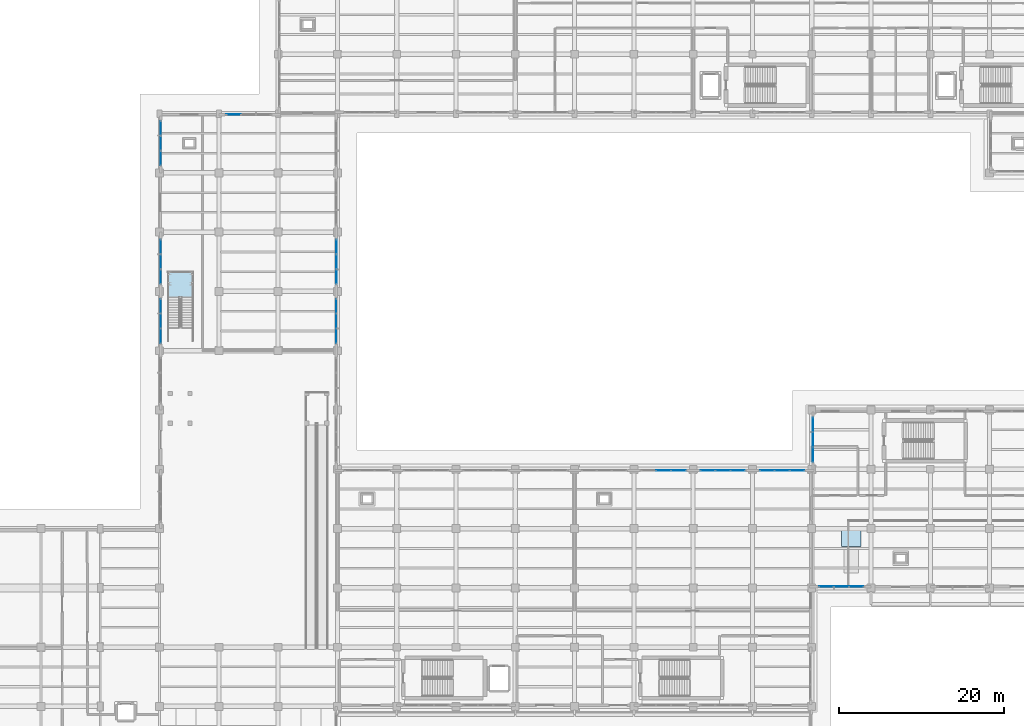
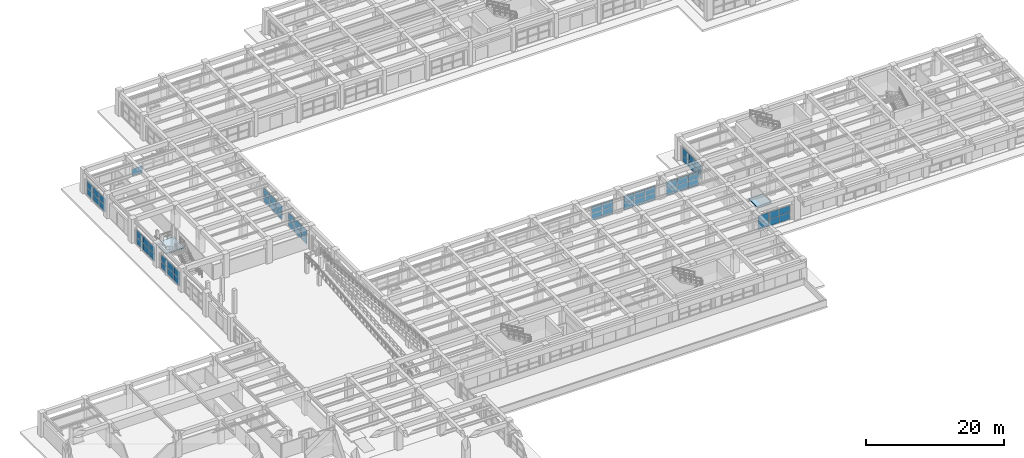
# One storey, part 35 of 64: 59 plates, 2 slabs, 12 elements without a shape of their own.
"""IFC4 building model written with IfcOpenShell, lengths in metres."""

from ifc_helpers import new_model, si_unit, direction, frame, origin, origin_2d, place, context, subcontext, project, spatial, polyline, rectangle, outline, extrude, material, layer, layer_set, type_object, element, aggregate, save


model = new_model("IFC4")

# Units and contexts
model_context = context("Model", 3, precision=1e-05, world=origin(), true_north=direction((0.0, 1.0)))
body_context = subcontext(model_context, "Body", "Model", "MODEL_VIEW")
ifc_project = project(units=[si_unit("LENGTHUNIT", "METRE"), si_unit("AREAUNIT", "SQUARE_METRE"), si_unit("VOLUMEUNIT", "CUBIC_METRE"), si_unit("PLANEANGLEUNIT", "RADIAN"), si_unit("MASSUNIT", "GRAM", prefix="KILO")], contexts=[model_context])

# Site, building, storey
site_placement = place(None, origin())
site = spatial("IfcSite", under=ifc_project, at=site_placement, CompositionType="ELEMENT")
building_placement = place(site_placement, origin())
building = spatial("IfcBuilding", under=site, at=building_placement, Name="Solenvale Faculty of Natural Sciences", CompositionType="ELEMENT")
storey_placement = place(building_placement, origin())
storey = spatial("IfcBuildingStorey", under=building, at=storey_placement, Name="L00", CompositionType="ELEMENT", Elevation=0.0)

# Curtain wall, plates
ifc_material_1 = material(Name="Anodised bronze aluminium", Category="aluminium")
ifc_layer_1 = layer(ifc_material_1, 0.215087890625)
ifc_layer_set_1 = layer_set([ifc_layer_1], Name="Anodised bronze aluminium")
curtain_wall_type_1 = type_object("IfcCurtainWallType", Name="CW-ATR-UNIT", PredefinedType="USERDEFINED", material=ifc_layer_set_1)
curtain_wall_1_placement = place(storey_placement, origin())
curtain_wall_1 = element("IfcCurtainWall", 1, at=curtain_wall_1_placement, inside=storey, type_object=curtain_wall_type_1, Name="L00 Curtain Wall CW-L00-P1-E22-B1", ObjectType="UNITISED CURTAIN WALL", PredefinedType="USERDEFINED")
ifc_material_2 = material(Name="North-light skylight glass", Category="glass")
ifc_layer_2 = layer(ifc_material_2, 0.028076171875)
ifc_layer_set_2 = layer_set([ifc_layer_2], Name="North-light skylight glass")
plate_type_1 = type_object("IfcPlateType", Name="CWP-PNL-28", PredefinedType="CURTAIN_PANEL", material=ifc_layer_set_2)
plate_1_placement = place(storey_placement, frame((36.142578125, 91.814697265625, 0.074951171875), z_axis=(0.0, 0.0, 1.0), x_axis=(0.0, -1.0, 0.0)))
plate_1 = element("IfcPlate", 2, at=plate_1_placement, type_object=plate_type_1, Name="CW-01 panel 1.1", PredefinedType="CURTAIN_PANEL", context=body_context, shape_type="SweptSolid", body=[
    extrude(rectangle(XDim=1.720947265625, YDim=0.028076171875, at=origin_2d()), origin(), (0.0, 0.0, 1.0), 1.1875),
])
plate_2_placement = place(storey_placement, frame((36.142578125, 91.814697265625, 1.33740234375), z_axis=(0.0, 0.0, 1.0), x_axis=(0.0, -1.0, 0.0)))
plate_2 = element("IfcPlate", 3, at=plate_2_placement, type_object=plate_type_1, Name="CW-01 panel 1.2", PredefinedType="CURTAIN_PANEL", context=body_context, shape_type="SweptSolid", body=[
    extrude(rectangle(XDim=1.720947265625, YDim=0.028076171875, at=origin_2d()), origin(), (0.0, 0.0, 1.0), 1.1875),
])
plate_3_placement = place(storey_placement, frame((36.142578125, 90.0, 0.074951171875), z_axis=(0.0, 0.0, 1.0), x_axis=(0.0, -1.0, 0.0)))
plate_3 = element("IfcPlate", 4, at=plate_3_placement, type_object=plate_type_1, Name="CW-01 panel 2.1", PredefinedType="CURTAIN_PANEL", context=body_context, shape_type="SweptSolid", body=[
    extrude(rectangle(XDim=1.75830078125, YDim=0.028076171875, at=origin_2d()), origin(), (0.0, 0.0, 1.0), 1.1875),
])
plate_4_placement = place(storey_placement, frame((36.142578125, 90.0, 1.33740234375), z_axis=(0.0, 0.0, 1.0), x_axis=(0.0, -1.0, 0.0)))
plate_4 = element("IfcPlate", 5, at=plate_4_placement, type_object=plate_type_1, Name="CW-01 panel 2.2", PredefinedType="CURTAIN_PANEL", context=body_context, shape_type="SweptSolid", body=[
    extrude(rectangle(XDim=1.75830078125, YDim=0.028076171875, at=origin_2d()), origin(), (0.0, 0.0, 1.0), 1.1875),
])
plate_5_placement = place(storey_placement, frame((36.142578125, 88.185302734375, 0.074951171875), z_axis=(0.0, 0.0, 1.0), x_axis=(0.0, -1.0, 0.0)))
plate_5 = element("IfcPlate", 6, at=plate_5_placement, type_object=plate_type_1, Name="CW-01 panel 3.1", PredefinedType="CURTAIN_PANEL", context=body_context, shape_type="SweptSolid", body=[
    extrude(rectangle(XDim=1.720947265625, YDim=0.028076171875, at=origin_2d()), origin(), (0.0, 0.0, 1.0), 1.1875),
])
plate_6_placement = place(storey_placement, frame((36.142578125, 88.185302734375, 1.33740234375), z_axis=(0.0, 0.0, 1.0), x_axis=(0.0, -1.0, 0.0)))
plate_6 = element("IfcPlate", 7, at=plate_6_placement, type_object=plate_type_1, Name="CW-01 panel 3.2", PredefinedType="CURTAIN_PANEL", context=body_context, shape_type="SweptSolid", body=[
    extrude(rectangle(XDim=1.720947265625, YDim=0.028076171875, at=origin_2d()), origin(), (0.0, 0.0, 1.0), 1.1875),
])
aggregate(curtain_wall_1, [plate_1, plate_2, plate_3, plate_4, plate_5, plate_6])

ifc_layer_3 = layer(ifc_material_1, 0.199951171875)
ifc_layer_set_3 = layer_set([ifc_layer_3], Name="Anodised bronze aluminium")
curtain_wall_type_2 = type_object("IfcCurtainWallType", Name="CW-COM-FIN", PredefinedType="USERDEFINED", material=ifc_layer_set_3)
curtain_wall_2_placement = place(storey_placement, origin())
curtain_wall_2 = element("IfcCurtainWall", 8, at=curtain_wall_2_placement, inside=storey, type_object=curtain_wall_type_2, Name="L00 Curtain Wall CW-L00-P1-E8-B1", ObjectType="UNITISED CURTAIN WALL", PredefinedType="USERDEFINED")
ifc_material_3 = material(Name="Triple low-E insulated glass", Category="glass")
ifc_layer_4 = layer(ifc_material_3, 0.035888671875)
ifc_layer_set_4 = layer_set([ifc_layer_4], Name="Triple low-E insulated glass")
plate_type_2 = type_object("IfcPlateType", Name="CWP-PNL-36", PredefinedType="CURTAIN_PANEL", material=ifc_layer_set_4)
plate_7_placement = place(storey_placement, frame((115.342529296875, 55.814697265625, 0.074951171875), z_axis=(0.0, 0.0, 1.0), x_axis=(0.0, -1.0, 0.0)))
plate_7 = element("IfcPlate", 9, at=plate_7_placement, type_object=plate_type_2, Name="CW-03 panel 1.1", PredefinedType="CURTAIN_PANEL", context=body_context, shape_type="SweptSolid", body=[
    extrude(rectangle(XDim=1.720947265625, YDim=0.035888671875, at=origin_2d()), origin(), (0.0, 0.0, 1.0), 1.1875),
])
plate_8_placement = place(storey_placement, frame((115.342529296875, 55.814697265625, 1.33740234375), z_axis=(0.0, 0.0, 1.0), x_axis=(0.0, -1.0, 0.0)))
plate_8 = element("IfcPlate", 10, at=plate_8_placement, type_object=plate_type_2, Name="CW-03 panel 1.2", PredefinedType="CURTAIN_PANEL", context=body_context, shape_type="SweptSolid", body=[
    extrude(rectangle(XDim=1.720947265625, YDim=0.035888671875, at=origin_2d()), origin(), (0.0, 0.0, 1.0), 1.1875),
])
plate_9_placement = place(storey_placement, frame((115.342529296875, 54.0, 0.074951171875), z_axis=(0.0, 0.0, 1.0), x_axis=(0.0, -1.0, 0.0)))
plate_9 = element("IfcPlate", 11, at=plate_9_placement, type_object=plate_type_2, Name="CW-03 panel 2.1", PredefinedType="CURTAIN_PANEL", context=body_context, shape_type="SweptSolid", body=[
    extrude(rectangle(XDim=1.75830078125, YDim=0.035888671875, at=origin_2d()), origin(), (0.0, 0.0, 1.0), 1.1875),
])
plate_10_placement = place(storey_placement, frame((115.342529296875, 54.0, 1.33740234375), z_axis=(0.0, 0.0, 1.0), x_axis=(0.0, -1.0, 0.0)))
plate_10 = element("IfcPlate", 12, at=plate_10_placement, type_object=plate_type_2, Name="CW-03 panel 2.2", PredefinedType="CURTAIN_PANEL", context=body_context, shape_type="SweptSolid", body=[
    extrude(rectangle(XDim=1.75830078125, YDim=0.035888671875, at=origin_2d()), origin(), (0.0, 0.0, 1.0), 1.1875),
])
plate_11_placement = place(storey_placement, frame((115.342529296875, 52.185302734375, 0.074951171875), z_axis=(0.0, 0.0, 1.0), x_axis=(0.0, -1.0, 0.0)))
plate_11 = element("IfcPlate", 13, at=plate_11_placement, type_object=plate_type_2, Name="CW-03 panel 3.1", PredefinedType="CURTAIN_PANEL", context=body_context, shape_type="SweptSolid", body=[
    extrude(rectangle(XDim=1.720947265625, YDim=0.035888671875, at=origin_2d()), origin(), (0.0, 0.0, 1.0), 1.1875),
])
plate_12_placement = place(storey_placement, frame((115.342529296875, 52.185302734375, 1.33740234375), z_axis=(0.0, 0.0, 1.0), x_axis=(0.0, -1.0, 0.0)))
plate_12 = element("IfcPlate", 14, at=plate_12_placement, type_object=plate_type_2, Name="CW-03 panel 3.2", PredefinedType="CURTAIN_PANEL", context=body_context, shape_type="SweptSolid", body=[
    extrude(rectangle(XDim=1.720947265625, YDim=0.035888671875, at=origin_2d()), origin(), (0.0, 0.0, 1.0), 1.1875),
])
aggregate(curtain_wall_2, [plate_7, plate_8, plate_9, plate_10, plate_11, plate_12])

curtain_wall_3_placement = place(storey_placement, origin())
curtain_wall_3 = element("IfcCurtainWall", 15, at=curtain_wall_3_placement, inside=storey, type_object=curtain_wall_type_1, Name="L00 Curtain Wall CW-L00-P1-E22-B3", ObjectType="UNITISED CURTAIN WALL", PredefinedType="USERDEFINED")
plate_13_placement = place(storey_placement, frame((36.142578125, 77.41455078125, 0.074951171875), z_axis=(0.0, 0.0, 1.0), x_axis=(0.0, -1.0, 0.0)))
plate_13 = element("IfcPlate", 16, at=plate_13_placement, type_object=plate_type_2, Name="CW-01 panel 1.1", PredefinedType="CURTAIN_PANEL", context=body_context, shape_type="SweptSolid", body=[
    extrude(rectangle(XDim=1.720947265625, YDim=0.035888671875, at=origin_2d()), origin(), (0.0, 0.0, 1.0), 1.1875),
])
plate_14_placement = place(storey_placement, frame((36.142578125, 77.41455078125, 1.33740234375), z_axis=(0.0, 0.0, 1.0), x_axis=(0.0, -1.0, 0.0)))
plate_14 = element("IfcPlate", 17, at=plate_14_placement, type_object=plate_type_2, Name="CW-01 panel 1.2", PredefinedType="CURTAIN_PANEL", context=body_context, shape_type="SweptSolid", body=[
    extrude(rectangle(XDim=1.720947265625, YDim=0.035888671875, at=origin_2d()), origin(), (0.0, 0.0, 1.0), 1.1875),
])
plate_15_placement = place(storey_placement, frame((36.142578125, 75.60009765625, 0.074951171875), z_axis=(0.0, 0.0, 1.0), x_axis=(0.0, -1.0, 0.0)))
plate_15 = element("IfcPlate", 18, at=plate_15_placement, type_object=plate_type_2, Name="CW-01 panel 2.1", PredefinedType="CURTAIN_PANEL", context=body_context, shape_type="SweptSolid", body=[
    extrude(rectangle(XDim=1.75830078125, YDim=0.035888671875, at=origin_2d()), origin(), (0.0, 0.0, 1.0), 1.1875),
])
plate_16_placement = place(storey_placement, frame((36.142578125, 75.60009765625, 1.33740234375), z_axis=(0.0, 0.0, 1.0), x_axis=(0.0, -1.0, 0.0)))
plate_16 = element("IfcPlate", 19, at=plate_16_placement, type_object=plate_type_2, Name="CW-01 panel 2.2", PredefinedType="CURTAIN_PANEL", context=body_context, shape_type="SweptSolid", body=[
    extrude(rectangle(XDim=1.75830078125, YDim=0.035888671875, at=origin_2d()), origin(), (0.0, 0.0, 1.0), 1.1875),
])
plate_17_placement = place(storey_placement, frame((36.142578125, 73.785400390625, 0.074951171875), z_axis=(0.0, 0.0, 1.0), x_axis=(0.0, -1.0, 0.0)))
plate_17 = element("IfcPlate", 20, at=plate_17_placement, type_object=plate_type_2, Name="CW-01 panel 3.1", PredefinedType="CURTAIN_PANEL", context=body_context, shape_type="SweptSolid", body=[
    extrude(rectangle(XDim=1.720947265625, YDim=0.035888671875, at=origin_2d()), origin(), (0.0, 0.0, 1.0), 1.1875),
])
plate_18_placement = place(storey_placement, frame((36.142578125, 73.785400390625, 1.33740234375), z_axis=(0.0, 0.0, 1.0), x_axis=(0.0, -1.0, 0.0)))
plate_18 = element("IfcPlate", 21, at=plate_18_placement, type_object=plate_type_2, Name="CW-01 panel 3.2", PredefinedType="CURTAIN_PANEL", context=body_context, shape_type="SweptSolid", body=[
    extrude(rectangle(XDim=1.720947265625, YDim=0.035888671875, at=origin_2d()), origin(), (0.0, 0.0, 1.0), 1.1875),
])
aggregate(curtain_wall_3, [plate_13, plate_14, plate_15, plate_16, plate_17, plate_18])

ifc_layer_5 = layer(ifc_material_1, 0.179931640625)
ifc_layer_set_5 = layer_set([ifc_layer_5], Name="Anodised bronze aluminium")
curtain_wall_type_3 = type_object("IfcCurtainWallType", Name="CW-TWR-MOD", PredefinedType="USERDEFINED", material=ifc_layer_set_5)
curtain_wall_4_placement = place(storey_placement, origin())
curtain_wall_4 = element("IfcCurtainWall", 22, at=curtain_wall_4_placement, inside=storey, type_object=curtain_wall_type_3, Name="L00 Curtain Wall CW-L00-P1-E9-B1", ObjectType="UNITISED CURTAIN WALL", PredefinedType="USERDEFINED")
ifc_layer_6 = layer(ifc_material_3, 0.0400390625)
ifc_layer_set_6 = layer_set([ifc_layer_6], Name="Triple low-E insulated glass")
plate_type_3 = type_object("IfcPlateType", Name="CWP-PNL-40", PredefinedType="CURTAIN_PANEL", material=ifc_layer_set_6)
plate_19_placement = place(storey_placement, frame((113.41455078125, 50.257568359375, 0.074951171875), z_axis=(0.0, 0.0, 1.0), x_axis=(-1.0, 0.0, 0.0)))
plate_19 = element("IfcPlate", 23, at=plate_19_placement, type_object=plate_type_3, Name="CW-04 panel 1.1", PredefinedType="CURTAIN_PANEL", context=body_context, shape_type="SweptSolid", body=[
    extrude(rectangle(XDim=1.720947265625, YDim=0.0400390625, at=origin_2d()), origin(), (0.0, 0.0, 1.0), 1.1875),
])
plate_20_placement = place(storey_placement, frame((113.41455078125, 50.257568359375, 1.33740234375), z_axis=(0.0, 0.0, 1.0), x_axis=(-1.0, 0.0, 0.0)))
plate_20 = element("IfcPlate", 24, at=plate_20_placement, type_object=plate_type_3, Name="CW-04 panel 1.2", PredefinedType="CURTAIN_PANEL", context=body_context, shape_type="SweptSolid", body=[
    extrude(rectangle(XDim=1.720947265625, YDim=0.0400390625, at=origin_2d()), origin(), (0.0, 0.0, 1.0), 1.1875),
])
plate_21_placement = place(storey_placement, frame((111.60009765625, 50.257568359375, 0.074951171875), z_axis=(0.0, 0.0, 1.0), x_axis=(-1.0, 0.0, 0.0)))
plate_21 = element("IfcPlate", 25, at=plate_21_placement, type_object=plate_type_3, Name="CW-04 panel 2.1", PredefinedType="CURTAIN_PANEL", context=body_context, shape_type="SweptSolid", body=[
    extrude(rectangle(XDim=1.75830078125, YDim=0.0400390625, at=origin_2d()), origin(), (0.0, 0.0, 1.0), 1.1875),
])
plate_22_placement = place(storey_placement, frame((111.60009765625, 50.257568359375, 1.33740234375), z_axis=(0.0, 0.0, 1.0), x_axis=(-1.0, 0.0, 0.0)))
plate_22 = element("IfcPlate", 26, at=plate_22_placement, type_object=plate_type_3, Name="CW-04 panel 2.2", PredefinedType="CURTAIN_PANEL", context=body_context, shape_type="SweptSolid", body=[
    extrude(rectangle(XDim=1.75830078125, YDim=0.0400390625, at=origin_2d()), origin(), (0.0, 0.0, 1.0), 1.1875),
])
plate_23_placement = place(storey_placement, frame((109.785400390625, 50.257568359375, 0.074951171875), z_axis=(0.0, 0.0, 1.0), x_axis=(-1.0, 0.0, 0.0)))
plate_23 = element("IfcPlate", 27, at=plate_23_placement, type_object=plate_type_3, Name="CW-04 panel 3.1", PredefinedType="CURTAIN_PANEL", context=body_context, shape_type="SweptSolid", body=[
    extrude(rectangle(XDim=1.720947265625, YDim=0.0400390625, at=origin_2d()), origin(), (0.0, 0.0, 1.0), 1.1875),
])
plate_24_placement = place(storey_placement, frame((109.785400390625, 50.257568359375, 1.33740234375), z_axis=(0.0, 0.0, 1.0), x_axis=(-1.0, 0.0, 0.0)))
plate_24 = element("IfcPlate", 28, at=plate_24_placement, type_object=plate_type_3, Name="CW-04 panel 3.2", PredefinedType="CURTAIN_PANEL", context=body_context, shape_type="SweptSolid", body=[
    extrude(rectangle(XDim=1.720947265625, YDim=0.0400390625, at=origin_2d()), origin(), (0.0, 0.0, 1.0), 1.1875),
])
aggregate(curtain_wall_4, [plate_19, plate_20, plate_21, plate_22, plate_23, plate_24])

curtain_wall_5_placement = place(storey_placement, origin())
curtain_wall_5 = element("IfcCurtainWall", 29, at=curtain_wall_5_placement, inside=storey, type_object=curtain_wall_type_1, Name="L00 Curtain Wall CW-L00-P1-E22-B4", ObjectType="UNITISED CURTAIN WALL", PredefinedType="USERDEFINED")
plate_25_placement = place(storey_placement, frame((36.142578125, 70.214599609375, 0.074951171875), z_axis=(0.0, 0.0, 1.0), x_axis=(0.0, -1.0, 0.0)))
plate_25 = element("IfcPlate", 30, at=plate_25_placement, type_object=plate_type_3, Name="CW-01 panel 1.1", PredefinedType="CURTAIN_PANEL", context=body_context, shape_type="SweptSolid", body=[
    extrude(rectangle(XDim=1.720947265625, YDim=0.0400390625, at=origin_2d()), origin(), (0.0, 0.0, 1.0), 1.1875),
])
plate_26_placement = place(storey_placement, frame((36.142578125, 70.214599609375, 1.33740234375), z_axis=(0.0, 0.0, 1.0), x_axis=(0.0, -1.0, 0.0)))
plate_26 = element("IfcPlate", 31, at=plate_26_placement, type_object=plate_type_3, Name="CW-01 panel 1.2", PredefinedType="CURTAIN_PANEL", context=body_context, shape_type="SweptSolid", body=[
    extrude(rectangle(XDim=1.720947265625, YDim=0.0400390625, at=origin_2d()), origin(), (0.0, 0.0, 1.0), 1.1875),
])
plate_27_placement = place(storey_placement, frame((36.142578125, 68.39990234375, 0.074951171875), z_axis=(0.0, 0.0, 1.0), x_axis=(0.0, -1.0, 0.0)))
plate_27 = element("IfcPlate", 32, at=plate_27_placement, type_object=plate_type_3, Name="CW-01 panel 2.1", PredefinedType="CURTAIN_PANEL", context=body_context, shape_type="SweptSolid", body=[
    extrude(rectangle(XDim=1.75830078125, YDim=0.0400390625, at=origin_2d()), origin(), (0.0, 0.0, 1.0), 1.1875),
])
plate_28_placement = place(storey_placement, frame((36.142578125, 68.39990234375, 1.33740234375), z_axis=(0.0, 0.0, 1.0), x_axis=(0.0, -1.0, 0.0)))
plate_28 = element("IfcPlate", 33, at=plate_28_placement, type_object=plate_type_3, Name="CW-01 panel 2.2", PredefinedType="CURTAIN_PANEL", context=body_context, shape_type="SweptSolid", body=[
    extrude(rectangle(XDim=1.75830078125, YDim=0.0400390625, at=origin_2d()), origin(), (0.0, 0.0, 1.0), 1.1875),
])
plate_29_placement = place(storey_placement, frame((36.142578125, 66.58544921875, 0.074951171875), z_axis=(0.0, 0.0, 1.0), x_axis=(0.0, -1.0, 0.0)))
plate_29 = element("IfcPlate", 34, at=plate_29_placement, type_object=plate_type_3, Name="CW-01 panel 3.1", PredefinedType="CURTAIN_PANEL", context=body_context, shape_type="SweptSolid", body=[
    extrude(rectangle(XDim=1.720947265625, YDim=0.0400390625, at=origin_2d()), origin(), (0.0, 0.0, 1.0), 1.1875),
])
plate_30_placement = place(storey_placement, frame((36.142578125, 66.58544921875, 1.33740234375), z_axis=(0.0, 0.0, 1.0), x_axis=(0.0, -1.0, 0.0)))
plate_30 = element("IfcPlate", 35, at=plate_30_placement, type_object=plate_type_3, Name="CW-01 panel 3.2", PredefinedType="CURTAIN_PANEL", context=body_context, shape_type="SweptSolid", body=[
    extrude(rectangle(XDim=1.720947265625, YDim=0.0400390625, at=origin_2d()), origin(), (0.0, 0.0, 1.0), 1.1875),
])
aggregate(curtain_wall_5, [plate_25, plate_26, plate_27, plate_28, plate_29, plate_30])

curtain_wall_6_placement = place(storey_placement, origin())
curtain_wall_6 = element("IfcCurtainWall", 36, at=curtain_wall_6_placement, inside=storey, type_object=curtain_wall_type_3, Name="L00 Curtain Wall CW-L00-P1-E9-B2", ObjectType="UNITISED CURTAIN WALL", PredefinedType="USERDEFINED")
ifc_layer_7 = layer(ifc_material_3, 0.0439453125)
ifc_layer_set_7 = layer_set([ifc_layer_7], Name="Triple low-E insulated glass")
plate_type_4 = type_object("IfcPlateType", Name="CWP-PNL-44", PredefinedType="CURTAIN_PANEL", material=ifc_layer_set_7)
plate_31_placement = place(storey_placement, frame((106.214599609375, 50.257568359375, 0.074951171875), z_axis=(0.0, 0.0, 1.0), x_axis=(-1.0, 0.0, 0.0)))
plate_31 = element("IfcPlate", 37, at=plate_31_placement, type_object=plate_type_4, Name="CW-04 panel 1.1", PredefinedType="CURTAIN_PANEL", context=body_context, shape_type="SweptSolid", body=[
    extrude(rectangle(XDim=1.720947265625, YDim=0.0439453125, at=origin_2d()), origin(), (0.0, 0.0, 1.0), 1.1875),
])
plate_32_placement = place(storey_placement, frame((106.214599609375, 50.257568359375, 1.33740234375), z_axis=(0.0, 0.0, 1.0), x_axis=(-1.0, 0.0, 0.0)))
plate_32 = element("IfcPlate", 38, at=plate_32_placement, type_object=plate_type_4, Name="CW-04 panel 1.2", PredefinedType="CURTAIN_PANEL", context=body_context, shape_type="SweptSolid", body=[
    extrude(rectangle(XDim=1.720947265625, YDim=0.0439453125, at=origin_2d()), origin(), (0.0, 0.0, 1.0), 1.1875),
])
plate_33_placement = place(storey_placement, frame((104.39990234375, 50.257568359375, 0.074951171875), z_axis=(0.0, 0.0, 1.0), x_axis=(-1.0, 0.0, 0.0)))
plate_33 = element("IfcPlate", 39, at=plate_33_placement, type_object=plate_type_4, Name="CW-04 panel 2.1", PredefinedType="CURTAIN_PANEL", context=body_context, shape_type="SweptSolid", body=[
    extrude(rectangle(XDim=1.75830078125, YDim=0.0439453125, at=origin_2d()), origin(), (0.0, 0.0, 1.0), 1.1875),
])
plate_34_placement = place(storey_placement, frame((104.39990234375, 50.257568359375, 1.33740234375), z_axis=(0.0, 0.0, 1.0), x_axis=(-1.0, 0.0, 0.0)))
plate_34 = element("IfcPlate", 40, at=plate_34_placement, type_object=plate_type_4, Name="CW-04 panel 2.2", PredefinedType="CURTAIN_PANEL", context=body_context, shape_type="SweptSolid", body=[
    extrude(rectangle(XDim=1.75830078125, YDim=0.0439453125, at=origin_2d()), origin(), (0.0, 0.0, 1.0), 1.1875),
])
plate_35_placement = place(storey_placement, frame((102.58544921875, 50.257568359375, 0.074951171875), z_axis=(0.0, 0.0, 1.0), x_axis=(-1.0, 0.0, 0.0)))
plate_35 = element("IfcPlate", 41, at=plate_35_placement, type_object=plate_type_4, Name="CW-04 panel 3.1", PredefinedType="CURTAIN_PANEL", context=body_context, shape_type="SweptSolid", body=[
    extrude(rectangle(XDim=1.720947265625, YDim=0.0439453125, at=origin_2d()), origin(), (0.0, 0.0, 1.0), 1.1875),
])
plate_36_placement = place(storey_placement, frame((102.58544921875, 50.257568359375, 1.33740234375), z_axis=(0.0, 0.0, 1.0), x_axis=(-1.0, 0.0, 0.0)))
plate_36 = element("IfcPlate", 42, at=plate_36_placement, type_object=plate_type_4, Name="CW-04 panel 3.2", PredefinedType="CURTAIN_PANEL", context=body_context, shape_type="SweptSolid", body=[
    extrude(rectangle(XDim=1.720947265625, YDim=0.0439453125, at=origin_2d()), origin(), (0.0, 0.0, 1.0), 1.1875),
])
aggregate(curtain_wall_6, [plate_31, plate_32, plate_33, plate_34, plate_35, plate_36])

curtain_wall_7_placement = place(storey_placement, origin())
curtain_wall_7 = element("IfcCurtainWall", 43, at=curtain_wall_7_placement, inside=storey, type_object=curtain_wall_type_3, Name="L00 Curtain Wall CW-L00-P1-E9-B3", ObjectType="UNITISED CURTAIN WALL", PredefinedType="USERDEFINED")
ifc_layer_8 = layer(ifc_material_1, 0.048095703125)
ifc_layer_set_8 = layer_set([ifc_layer_8], Name="Anodised bronze aluminium")
plate_type_5 = type_object("IfcPlateType", Name="CWP-PNL-48", PredefinedType="CURTAIN_PANEL", material=ifc_layer_set_8)
plate_37_placement = place(storey_placement, frame((99.0146484375, 50.257568359375, 0.074951171875), z_axis=(0.0, 0.0, 1.0), x_axis=(-1.0, 0.0, 0.0)))
plate_37 = element("IfcPlate", 44, at=plate_37_placement, type_object=plate_type_5, Name="CW-04 panel 1.1", PredefinedType="CURTAIN_PANEL", context=body_context, shape_type="SweptSolid", body=[
    extrude(rectangle(XDim=1.720947265625, YDim=0.048095703125, at=origin_2d()), origin(), (0.0, 0.0, 1.0), 1.1875),
])
plate_38_placement = place(storey_placement, frame((99.0146484375, 50.257568359375, 1.33740234375), z_axis=(0.0, 0.0, 1.0), x_axis=(-1.0, 0.0, 0.0)))
plate_38 = element("IfcPlate", 45, at=plate_38_placement, type_object=plate_type_5, Name="CW-04 panel 1.2", PredefinedType="CURTAIN_PANEL", context=body_context, shape_type="SweptSolid", body=[
    extrude(rectangle(XDim=1.720947265625, YDim=0.048095703125, at=origin_2d()), origin(), (0.0, 0.0, 1.0), 1.1875),
])
plate_39_placement = place(storey_placement, frame((97.199951171875, 50.257568359375, 0.074951171875), z_axis=(0.0, 0.0, 1.0), x_axis=(-1.0, 0.0, 0.0)))
plate_39 = element("IfcPlate", 46, at=plate_39_placement, type_object=plate_type_5, Name="CW-04 panel 2.1", PredefinedType="CURTAIN_PANEL", context=body_context, shape_type="SweptSolid", body=[
    extrude(rectangle(XDim=1.75830078125, YDim=0.048095703125, at=origin_2d()), origin(), (0.0, 0.0, 1.0), 1.1875),
])
plate_40_placement = place(storey_placement, frame((97.199951171875, 50.257568359375, 1.33740234375), z_axis=(0.0, 0.0, 1.0), x_axis=(-1.0, 0.0, 0.0)))
plate_40 = element("IfcPlate", 47, at=plate_40_placement, type_object=plate_type_5, Name="CW-04 panel 2.2", PredefinedType="CURTAIN_PANEL", context=body_context, shape_type="SweptSolid", body=[
    extrude(rectangle(XDim=1.75830078125, YDim=0.048095703125, at=origin_2d()), origin(), (0.0, 0.0, 1.0), 1.1875),
])
aggregate(curtain_wall_7, [plate_37, plate_38, plate_39, plate_40])

curtain_wall_8_placement = place(storey_placement, origin())
curtain_wall_8 = element("IfcCurtainWall", 48, at=curtain_wall_8_placement, inside=storey, type_object=curtain_wall_type_1, Name="L00 Curtain Wall CW-L00-P1-E10-B3", ObjectType="UNITISED CURTAIN WALL", PredefinedType="USERDEFINED")
ifc_layer_9 = layer(ifc_material_1, 0.053955078125)
ifc_layer_set_9 = layer_set([ifc_layer_9], Name="Anodised bronze aluminium")
plate_type_6 = type_object("IfcPlateType", Name="CWP-PNL-54", PredefinedType="CURTAIN_PANEL", material=ifc_layer_set_9)
plate_41_placement = place(storey_placement, frame((57.45751953125, 66.58544921875, 0.074951171875), z_axis=(0.0, 0.0, 1.0), x_axis=(0.0, 1.0, 0.0)))
plate_41 = element("IfcPlate", 49, at=plate_41_placement, type_object=plate_type_6, Name="CW-01 panel 1.1", PredefinedType="CURTAIN_PANEL", context=body_context, shape_type="SweptSolid", body=[
    extrude(rectangle(XDim=1.720947265625, YDim=0.053955078125, at=origin_2d()), origin(), (0.0, 0.0, 1.0), 1.1875),
])
plate_42_placement = place(storey_placement, frame((57.45751953125, 66.58544921875, 1.33740234375), z_axis=(0.0, 0.0, 1.0), x_axis=(0.0, 1.0, 0.0)))
plate_42 = element("IfcPlate", 50, at=plate_42_placement, type_object=plate_type_6, Name="CW-01 panel 1.2", PredefinedType="CURTAIN_PANEL", context=body_context, shape_type="SweptSolid", body=[
    extrude(rectangle(XDim=1.720947265625, YDim=0.053955078125, at=origin_2d()), origin(), (0.0, 0.0, 1.0), 1.1875),
])
plate_43_placement = place(storey_placement, frame((57.45751953125, 68.39990234375, 0.074951171875), z_axis=(0.0, 0.0, 1.0), x_axis=(0.0, 1.0, 0.0)))
plate_43 = element("IfcPlate", 51, at=plate_43_placement, type_object=plate_type_6, Name="CW-01 panel 2.1", PredefinedType="CURTAIN_PANEL", context=body_context, shape_type="SweptSolid", body=[
    extrude(rectangle(XDim=1.75830078125, YDim=0.053955078125, at=origin_2d()), origin(), (0.0, 0.0, 1.0), 1.1875),
])
plate_44_placement = place(storey_placement, frame((57.45751953125, 68.39990234375, 1.33740234375), z_axis=(0.0, 0.0, 1.0), x_axis=(0.0, 1.0, 0.0)))
plate_44 = element("IfcPlate", 52, at=plate_44_placement, type_object=plate_type_6, Name="CW-01 panel 2.2", PredefinedType="CURTAIN_PANEL", context=body_context, shape_type="SweptSolid", body=[
    extrude(rectangle(XDim=1.75830078125, YDim=0.053955078125, at=origin_2d()), origin(), (0.0, 0.0, 1.0), 1.1875),
])
plate_45_placement = place(storey_placement, frame((57.45751953125, 70.214599609375, 0.074951171875), z_axis=(0.0, 0.0, 1.0), x_axis=(0.0, 1.0, 0.0)))
plate_45 = element("IfcPlate", 53, at=plate_45_placement, type_object=plate_type_6, Name="CW-01 panel 3.1", PredefinedType="CURTAIN_PANEL", context=body_context, shape_type="SweptSolid", body=[
    extrude(rectangle(XDim=1.720947265625, YDim=0.053955078125, at=origin_2d()), origin(), (0.0, 0.0, 1.0), 1.1875),
])
plate_46_placement = place(storey_placement, frame((57.45751953125, 70.214599609375, 1.33740234375), z_axis=(0.0, 0.0, 1.0), x_axis=(0.0, 1.0, 0.0)))
plate_46 = element("IfcPlate", 54, at=plate_46_placement, type_object=plate_type_6, Name="CW-01 panel 3.2", PredefinedType="CURTAIN_PANEL", context=body_context, shape_type="SweptSolid", body=[
    extrude(rectangle(XDim=1.720947265625, YDim=0.053955078125, at=origin_2d()), origin(), (0.0, 0.0, 1.0), 1.1875),
])
aggregate(curtain_wall_8, [plate_41, plate_42, plate_43, plate_44, plate_45, plate_46])

curtain_wall_9_placement = place(storey_placement, origin())
curtain_wall_9 = element("IfcCurtainWall", 55, at=curtain_wall_9_placement, inside=storey, type_object=curtain_wall_type_2, Name="L00 Curtain Wall CW-L00-P1-E5-B1", ObjectType="UNITISED CURTAIN WALL", PredefinedType="USERDEFINED")
ifc_layer_10 = layer(ifc_material_1, 0.06005859375)
ifc_layer_set_10 = layer_set([ifc_layer_10], Name="Anodised bronze aluminium")
plate_type_7 = type_object("IfcPlateType", Name="CWP-PNL-60", PredefinedType="CURTAIN_PANEL", material=ifc_layer_set_10)
plate_47_placement = place(storey_placement, frame((116.9853515625, 36.142578125, 0.074951171875), z_axis=(0.0, 0.0, 1.0), x_axis=(1.0, 0.0, 0.0)))
plate_47 = element("IfcPlate", 56, at=plate_47_placement, type_object=plate_type_7, Name="CW-03 panel 1.1", PredefinedType="CURTAIN_PANEL", context=body_context, shape_type="SweptSolid", body=[
    extrude(rectangle(XDim=1.720947265625, YDim=0.06005859375, at=origin_2d()), origin(), (0.0, 0.0, 1.0), 1.1875),
])
plate_48_placement = place(storey_placement, frame((116.9853515625, 36.142578125, 1.33740234375), z_axis=(0.0, 0.0, 1.0), x_axis=(1.0, 0.0, 0.0)))
plate_48 = element("IfcPlate", 57, at=plate_48_placement, type_object=plate_type_7, Name="CW-03 panel 1.2", PredefinedType="CURTAIN_PANEL", context=body_context, shape_type="SweptSolid", body=[
    extrude(rectangle(XDim=1.720947265625, YDim=0.06005859375, at=origin_2d()), origin(), (0.0, 0.0, 1.0), 1.1875),
])
plate_49_placement = place(storey_placement, frame((118.800048828125, 36.142578125, 0.074951171875), z_axis=(0.0, 0.0, 1.0), x_axis=(1.0, 0.0, 0.0)))
plate_49 = element("IfcPlate", 58, at=plate_49_placement, type_object=plate_type_7, Name="CW-03 panel 2.1", PredefinedType="CURTAIN_PANEL", context=body_context, shape_type="SweptSolid", body=[
    extrude(rectangle(XDim=1.75830078125, YDim=0.06005859375, at=origin_2d()), origin(), (0.0, 0.0, 1.0), 1.1875),
])
plate_50_placement = place(storey_placement, frame((118.800048828125, 36.142578125, 1.33740234375), z_axis=(0.0, 0.0, 1.0), x_axis=(1.0, 0.0, 0.0)))
plate_50 = element("IfcPlate", 59, at=plate_50_placement, type_object=plate_type_7, Name="CW-03 panel 2.2", PredefinedType="CURTAIN_PANEL", context=body_context, shape_type="SweptSolid", body=[
    extrude(rectangle(XDim=1.75830078125, YDim=0.06005859375, at=origin_2d()), origin(), (0.0, 0.0, 1.0), 1.1875),
])
plate_51_placement = place(storey_placement, frame((120.614501953125, 36.142578125, 0.074951171875), z_axis=(0.0, 0.0, 1.0), x_axis=(1.0, 0.0, 0.0)))
plate_51 = element("IfcPlate", 60, at=plate_51_placement, type_object=plate_type_7, Name="CW-03 panel 3.1", PredefinedType="CURTAIN_PANEL", context=body_context, shape_type="SweptSolid", body=[
    extrude(rectangle(XDim=1.720947265625, YDim=0.06005859375, at=origin_2d()), origin(), (0.0, 0.0, 1.0), 1.1875),
])
plate_52_placement = place(storey_placement, frame((120.614501953125, 36.142578125, 1.33740234375), z_axis=(0.0, 0.0, 1.0), x_axis=(1.0, 0.0, 0.0)))
plate_52 = element("IfcPlate", 61, at=plate_52_placement, type_object=plate_type_7, Name="CW-03 panel 3.2", PredefinedType="CURTAIN_PANEL", context=body_context, shape_type="SweptSolid", body=[
    extrude(rectangle(XDim=1.720947265625, YDim=0.06005859375, at=origin_2d()), origin(), (0.0, 0.0, 1.0), 1.1875),
])
aggregate(curtain_wall_9, [plate_47, plate_48, plate_49, plate_50, plate_51, plate_52])

curtain_wall_10_placement = place(storey_placement, origin())
curtain_wall_10 = element("IfcCurtainWall", 62, at=curtain_wall_10_placement, inside=storey, type_object=curtain_wall_type_1, Name="L00 Curtain Wall CW-L00-P1-E10-B4", ObjectType="UNITISED CURTAIN WALL", PredefinedType="USERDEFINED")
plate_53_placement = place(storey_placement, frame((57.45751953125, 73.785400390625, 0.074951171875), z_axis=(0.0, 0.0, 1.0), x_axis=(0.0, 1.0, 0.0)))
plate_53 = element("IfcPlate", 63, at=plate_53_placement, type_object=plate_type_7, Name="CW-01 panel 1.1", PredefinedType="CURTAIN_PANEL", context=body_context, shape_type="SweptSolid", body=[
    extrude(rectangle(XDim=1.720947265625, YDim=0.06005859375, at=origin_2d()), origin(), (0.0, 0.0, 1.0), 1.1875),
])
plate_54_placement = place(storey_placement, frame((57.45751953125, 73.785400390625, 1.33740234375), z_axis=(0.0, 0.0, 1.0), x_axis=(0.0, 1.0, 0.0)))
plate_54 = element("IfcPlate", 64, at=plate_54_placement, type_object=plate_type_7, Name="CW-01 panel 1.2", PredefinedType="CURTAIN_PANEL", context=body_context, shape_type="SweptSolid", body=[
    extrude(rectangle(XDim=1.720947265625, YDim=0.06005859375, at=origin_2d()), origin(), (0.0, 0.0, 1.0), 1.1875),
])
plate_55_placement = place(storey_placement, frame((57.45751953125, 75.60009765625, 0.074951171875), z_axis=(0.0, 0.0, 1.0), x_axis=(0.0, 1.0, 0.0)))
plate_55 = element("IfcPlate", 65, at=plate_55_placement, type_object=plate_type_7, Name="CW-01 panel 2.1", PredefinedType="CURTAIN_PANEL", context=body_context, shape_type="SweptSolid", body=[
    extrude(rectangle(XDim=1.75830078125, YDim=0.06005859375, at=origin_2d()), origin(), (0.0, 0.0, 1.0), 1.1875),
])
plate_56_placement = place(storey_placement, frame((57.45751953125, 75.60009765625, 1.33740234375), z_axis=(0.0, 0.0, 1.0), x_axis=(0.0, 1.0, 0.0)))
plate_56 = element("IfcPlate", 66, at=plate_56_placement, type_object=plate_type_7, Name="CW-01 panel 2.2", PredefinedType="CURTAIN_PANEL", context=body_context, shape_type="SweptSolid", body=[
    extrude(rectangle(XDim=1.75830078125, YDim=0.06005859375, at=origin_2d()), origin(), (0.0, 0.0, 1.0), 1.1875),
])
plate_57_placement = place(storey_placement, frame((57.45751953125, 77.41455078125, 0.074951171875), z_axis=(0.0, 0.0, 1.0), x_axis=(0.0, 1.0, 0.0)))
plate_57 = element("IfcPlate", 67, at=plate_57_placement, type_object=plate_type_7, Name="CW-01 panel 3.1", PredefinedType="CURTAIN_PANEL", context=body_context, shape_type="SweptSolid", body=[
    extrude(rectangle(XDim=1.720947265625, YDim=0.06005859375, at=origin_2d()), origin(), (0.0, 0.0, 1.0), 1.1875),
])
plate_58_placement = place(storey_placement, frame((57.45751953125, 77.41455078125, 1.33740234375), z_axis=(0.0, 0.0, 1.0), x_axis=(0.0, 1.0, 0.0)))
plate_58 = element("IfcPlate", 68, at=plate_58_placement, type_object=plate_type_7, Name="CW-01 panel 3.2", PredefinedType="CURTAIN_PANEL", context=body_context, shape_type="SweptSolid", body=[
    extrude(rectangle(XDim=1.720947265625, YDim=0.06005859375, at=origin_2d()), origin(), (0.0, 0.0, 1.0), 1.1875),
])
aggregate(curtain_wall_10, [plate_53, plate_54, plate_55, plate_56, plate_57, plate_58])

# Curtain wall, plate
curtain_wall_11_placement = place(storey_placement, origin())
curtain_wall_11 = element("IfcCurtainWall", 69, at=curtain_wall_11_placement, inside=storey, type_object=curtain_wall_type_1, Name="L00 Curtain Wall CW-L00-P1-E21-B1", ObjectType="UNITISED CURTAIN WALL", PredefinedType="USERDEFINED")
plate_59_placement = place(storey_placement, frame((44.9853515625, 93.45751953125, 0.074951171875), z_axis=(0.0, 0.0, 1.0), x_axis=(-1.0, 0.0, 0.0)))
plate_59 = element("IfcPlate", 70, at=plate_59_placement, type_object=plate_type_7, Name="CW-01 panel 3.1", PredefinedType="CURTAIN_PANEL", context=body_context, shape_type="SweptSolid", body=[
    extrude(rectangle(XDim=1.720947265625, YDim=0.06005859375, at=origin_2d()), origin(), (0.0, 0.0, 1.0), 1.1875),
])
aggregate(curtain_wall_11, [plate_59])

# Stair, slab
ifc_material_4 = material(Name="Concrete 40 MPa", Category="concrete")
stair_type = type_object("IfcStairType", Name="STR-FEAT-27R", PredefinedType="DOUBLE_RETURN_STAIR", material=ifc_material_4)
stair_placement = place(storey_placement, origin())
stair = element("IfcStair", 71, at=stair_placement, inside=storey, type_object=stair_type, Name="L00 Atrium Feature Stair ST-06", PredefinedType="DOUBLE_RETURN_STAIR")
ifc_layer_11 = layer(ifc_material_4, 0.179931640625)
ifc_layer_set_11 = layer_set([ifc_layer_11], Name="Concrete 40 MPa")
slab_type_1 = type_object("IfcSlabType", Name="SL-LND-180", PredefinedType="LANDING", material=ifc_layer_set_11)
slab_1_placement = place(storey_placement, frame((0.0, 0.0, 2.050048828125)))
slab_1 = element("IfcSlab", 72, at=slab_1_placement, type_object=slab_type_1, Name="ST-06 landing 1", PredefinedType="LANDING", context=body_context, shape_type="SweptSolid", body=[
    extrude(outline(polyline([(40.10009765625, 71.25), (40.10009765625, 74.39990234375), (37.0, 74.39990234375), (37.0, 71.25), (40.10009765625, 71.25)])), origin(), (0.0, 0.0, 1.0), 0.199951171875),
])
aggregate(stair, [slab_1])

# Slab
ifc_material_5 = material(Name="Precast terrace paving concrete 35 MPa", Category="concrete")
ifc_layer_12 = layer(ifc_material_5, 0.2548828125)
ifc_layer_set_12 = layer_set([ifc_layer_12], Name="Precast terrace paving concrete 35 MPa")
slab_type_2 = type_object("IfcSlabType", Name="SL-TERR-255", PredefinedType="FLOOR", material=ifc_layer_set_12)
slab_2_placement = place(storey_placement, origin())
element("IfcSlab", 73, at=slab_2_placement, inside=storey, type_object=slab_type_2, Name="RMP-05 Accessible Foyer Dais", PredefinedType="FLOOR", context=body_context, shape_type="SweptSolid", body=[
    extrude(outline(polyline([(118.800048828125, 41.0), (121.199951171875, 41.0), (121.199951171875, 43.39990234375), (118.800048828125, 43.39990234375), (118.800048828125, 41.0)])), origin(), (0.0, 0.0, 1.0), 0.25),
])

save(model, "model.ifc")
